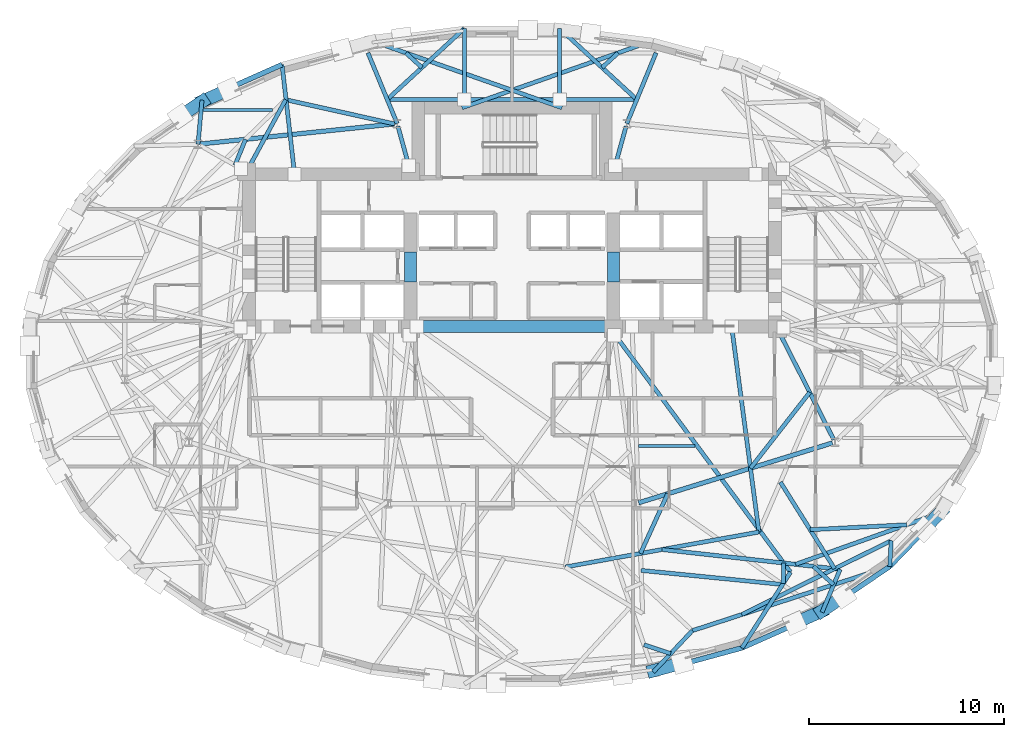
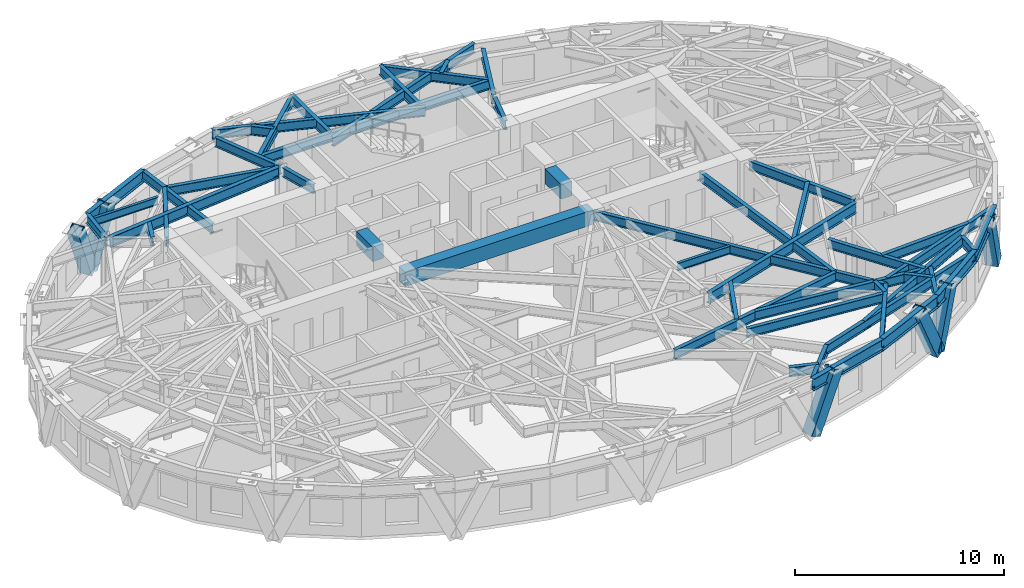
# One storey, part 3 of 15: 50 beams, 6 members.
"""IFC4 building model written with IfcOpenShell, lengths in metres."""

from ifc_helpers import new_model, si_unit, direction, frame, origin, origin_2d, place, context, subcontext, project, spatial, rectangle, hollow_rectangle, i_section, extrude, material, material_profile, profile_set, type_object, element, save


model = new_model("IFC4")

# Units and contexts
model_context = context("Model", 3, precision=1e-05, world=origin(), true_north=direction((0.0, 1.0)))
body_context = subcontext(model_context, "Body", "Model", "MODEL_VIEW")
ifc_project = project(units=[si_unit("LENGTHUNIT", "METRE"), si_unit("AREAUNIT", "SQUARE_METRE"), si_unit("VOLUMEUNIT", "CUBIC_METRE"), si_unit("PLANEANGLEUNIT", "RADIAN"), si_unit("MASSUNIT", "GRAM", prefix="KILO")], contexts=[model_context])

# Site, building, storey
site_placement = place(None, origin())
site = spatial("IfcSite", under=ifc_project, at=site_placement, CompositionType="ELEMENT")
building_placement = place(site_placement, origin())
building = spatial("IfcBuilding", under=site, at=building_placement, Name="Keldmark Tower", CompositionType="ELEMENT")
storey_placement = place(building_placement, frame((0.0, 0.0, 166.199951171875)))
storey = spatial("IfcBuildingStorey", under=building, at=storey_placement, Name="L45", CompositionType="ELEMENT", Elevation=166.199951171875)

# Beams
ifc_material_1 = material(Name="Steel ASTM A992 Grade 50", Category="steel")
ifc_material_profile_1 = material_profile(ifc_material_1, i_section(OverallWidth=0.153076171875, OverallDepth=0.455078125, WebThickness=0.008056640625, FlangeThickness=0.01318359375, at=origin_2d()), Name="W18X40")
ifc_profile_set_1 = profile_set([ifc_material_profile_1], Name="Steel ASTM A992 Grade 50")
beam_type_1 = type_object("IfcBeamType", Name="Composite Floor Joist W18X40", PredefinedType="JOIST", material=ifc_profile_set_1)
beam_1_placement = place(storey_placement, frame((6.473388671875, -4.60009765625, 2.79248046875), z_axis=(1.0, 0.0, 0.0), x_axis=(0.0, 1.0, 0.0)))
element("IfcBeam", 1, at=beam_1_placement, inside=storey, type_object=beam_type_1, Name="L45 Composite Floor Joist J04", PredefinedType="JOIST", context=body_context, shape_type="SweptSolid", body=[
    extrude(i_section(OverallWidth=0.153076171875, OverallDepth=0.455078125, WebThickness=0.008056640625, FlangeThickness=0.01318359375, at=origin_2d()), origin(), (0.0, 0.0, 1.0), 2.89453125),
])
beam_2_placement = place(storey_placement, frame((-15.827880859375, 12.6201171875, 2.79248046875), z_axis=(1.0, 0.0, 0.0), x_axis=(0.0, 1.0, 0.0)))
element("IfcBeam", 2, at=beam_2_placement, inside=storey, type_object=beam_type_1, Name="L45 Composite Floor Joist J07", PredefinedType="JOIST", context=body_context, shape_type="SweptSolid", body=[
    extrude(i_section(OverallWidth=0.153076171875, OverallDepth=0.455078125, WebThickness=0.008056640625, FlangeThickness=0.01318359375, at=origin_2d()), origin(), (0.0, 0.0, 1.0), 3.567626953125),
])
ifc_material_2 = material(Name="Concrete C50/60", Category="concrete")
ifc_material_profile_2 = material_profile(ifc_material_2, rectangle(XDim=0.60009765625, YDim=0.85009765625, at=origin_2d()), Name="RCB600X850")
ifc_profile_set_2 = profile_set([ifc_material_profile_2], Name="Concrete C50/60")
beam_type_2 = type_object("IfcBeamType", Name="Core Coupling Beam RCB600X850", PredefinedType="USERDEFINED", material=ifc_profile_set_2)
for number, where, z_axis, x_axis, name in (
    (3, (-5.199951171875, 3.800048828125, 2.594970703125), (0.0, 1.0, 0.0), (-1.0, 0.0, 0.0), "L45 West Core Coupling Beam"),
    (4, (5.199951171875, 3.800048828125, 2.594970703125), (0.0, 1.0, 0.0), (-1.0, 0.0, 0.0), "L45 East Core Coupling Beam"),
):
    element("IfcBeam", number, at=place(storey_placement, frame(where, z_axis=z_axis, x_axis=x_axis)), inside=storey, type_object=beam_type_2, Name=name, ObjectType="COUPLING BEAM", PredefinedType="USERDEFINED", context=body_context, shape_type="SweptSolid", body=[
        extrude(rectangle(XDim=0.60009765625, YDim=0.85009765625, at=origin_2d()), origin(), (0.0, 0.0, 1.0), 1.550048828125),
    ])
beam_3_placement = place(storey_placement, frame((-5.199951171875, 1.52490234375, 2.594970703125), z_axis=(1.0, 0.0, 0.0), x_axis=(0.0, 1.0, 0.0)))
element("IfcBeam", 5, at=beam_3_placement, inside=storey, type_object=beam_type_2, Name="L45 Central South Core Coupling Beam", ObjectType="COUPLING BEAM", PredefinedType="USERDEFINED", context=body_context, shape_type="SweptSolid", body=[
    extrude(rectangle(XDim=0.60009765625, YDim=0.85009765625, at=origin_2d()), origin(), (0.0, 0.0, 1.0), 10.39990234375),
])

# Members
ifc_material_3 = material(Name="Steel ASTM A572 Grade 50", Category="steel")
ifc_material_profile_3 = material_profile(ifc_material_3, hollow_rectangle(XDim=0.64990234375, YDim=0.64990234375, WallThickness=0.0400390625, at=origin_2d()), Name="BOX650X650X40")
ifc_profile_set_3 = profile_set([ifc_material_profile_3], Name="Steel ASTM A572 Grade 50")
member_type = type_object("IfcMemberType", Name="Diagrid Zone 3 Brace BOX650X650X40", PredefinedType="BRACE", material=ifc_profile_set_3)
member_1_placement = place(storey_placement, frame((-15.851806640625, 13.063720703125, -0.260009765625), z_axis=(0.391032940671, 0.173660522045, 0.903844711437), x_axis=(-0.405881029714, 0.913925921351, 0.0)))
element("IfcMember", 6, at=member_1_placement, inside=storey, type_object=member_type, Name="L45 Perimeter Diagrid Brace 06A", PredefinedType="BRACE", context=body_context, shape_type="SweptSolid", body=[
    extrude(hollow_rectangle(XDim=0.64990234375, YDim=0.64990234375, WallThickness=0.0400390625, at=origin_2d()), origin(), (0.0, 0.0, 1.0), 3.496337890625),
])
member_2_placement = place(storey_placement, frame((-15.841796875, 13.0703125, -0.260009765625), z_axis=(-0.334770939318, -0.226878321265, 0.914578944394), x_axis=(0.561014251509, -0.827806142526, 0.0)))
element("IfcMember", 7, at=member_2_placement, inside=storey, type_object=member_type, Name="L45 Perimeter Diagrid Brace 06B", PredefinedType="BRACE", context=body_context, shape_type="SweptSolid", body=[
    extrude(hollow_rectangle(XDim=0.64990234375, YDim=0.64990234375, WallThickness=0.0400390625, at=origin_2d()), origin(), (0.0, 0.0, 1.0), 3.455322265625),
])
member_3_placement = place(storey_placement, frame((7.219482421875, -16.114501953125, -0.260009765625), z_axis=(0.429097689767, 0.11659887232, 0.895700773479), x_axis=(-0.262221871512, 0.965007611421, 0.0)))
element("IfcMember", 8, at=member_3_placement, inside=storey, type_object=member_type, Name="L45 Perimeter Diagrid Brace 13B", PredefinedType="BRACE", context=body_context, shape_type="SweptSolid", body=[
    extrude(hollow_rectangle(XDim=0.64990234375, YDim=0.64990234375, WallThickness=0.0400390625, at=origin_2d()), origin(), (0.0, 0.0, 1.0), 3.528076171875),
])
member_4_placement = place(storey_placement, frame((15.851806640625, -13.063720703125, -0.260009765625), z_axis=(-0.391032940671, -0.173660522045, 0.903844711437), x_axis=(0.405881029714, -0.913925921351, 0.0)))
element("IfcMember", 9, at=member_4_placement, inside=storey, type_object=member_type, Name="L45 Perimeter Diagrid Brace 14A", PredefinedType="BRACE", context=body_context, shape_type="SweptSolid", body=[
    extrude(hollow_rectangle(XDim=0.64990234375, YDim=0.64990234375, WallThickness=0.0400390625, at=origin_2d()), origin(), (0.0, 0.0, 1.0), 3.496337890625),
])
member_5_placement = place(storey_placement, frame((15.841796875, -13.0703125, -0.260009765625), z_axis=(0.334770939318, 0.226878321265, 0.914578944394), x_axis=(-0.561014251509, 0.827806142526, 0.0)))
element("IfcMember", 10, at=member_5_placement, inside=storey, type_object=member_type, Name="L45 Perimeter Diagrid Brace 14B", PredefinedType="BRACE", context=body_context, shape_type="SweptSolid", body=[
    extrude(hollow_rectangle(XDim=0.64990234375, YDim=0.64990234375, WallThickness=0.0400390625, at=origin_2d()), origin(), (0.0, 0.0, 1.0), 3.455322265625),
])
member_6_placement = place(storey_placement, frame((21.990478515625, -7.946533203125, -0.260009765625), z_axis=(-0.262461182908, -0.271546102567, 0.925946457225), x_axis=(0.719032546856, -0.694976400004, 0.0)))
element("IfcMember", 11, at=member_6_placement, inside=storey, type_object=member_type, Name="L45 Perimeter Diagrid Brace 15A", PredefinedType="BRACE", context=body_context, shape_type="SweptSolid", body=[
    extrude(hollow_rectangle(XDim=0.64990234375, YDim=0.64990234375, WallThickness=0.0400390625, at=origin_2d()), origin(), (0.0, 0.0, 1.0), 3.412841796875),
])

# Beams
ifc_material_4 = material(Name="Steel ASTM A992 Grade 50", Category="steel")
ifc_material_profile_4 = material_profile(ifc_material_4, i_section(OverallWidth=0.22900390625, OverallDepth=0.612060546875, WebThickness=0.011962890625, FlangeThickness=0.01953125, at=origin_2d()), Name="W24X84")
ifc_profile_set_4 = profile_set([ifc_material_profile_4], Name="Steel ASTM A992 Grade 50")
beam_type_3 = type_object("IfcBeamType", Name="Primary Floor Girder W24X84", PredefinedType="BEAM", material=ifc_profile_set_4)
beam_4_placement = place(storey_placement, frame((-6.01953125, 11.90087890625, 2.714111328125), z_axis=(-0.994702930931, -0.102791435423, 0.0), x_axis=(0.102791435423, -0.994702930931, 0.0)))
element("IfcBeam", 12, at=beam_4_placement, inside=storey, type_object=beam_type_3, Name="L45 Floor Ring Girder FG-R04", PredefinedType="BEAM", context=body_context, shape_type="SweptSolid", body=[
    extrude(i_section(OverallWidth=0.22900390625, OverallDepth=0.612060546875, WebThickness=0.011962890625, FlangeThickness=0.01953125, at=origin_2d()), origin(), (0.0, 0.0, 1.0), 9.975341796875),
])
beam_5_placement = place(storey_placement, frame((6.485107421875, -7.5048828125, 2.714111328125), z_axis=(0.955494563145, 0.295008711398, 0.0), x_axis=(-0.295008711398, 0.955494563145, 0.0)))
element("IfcBeam", 13, at=beam_5_placement, inside=storey, type_object=beam_type_3, Name="L45 Floor Ring Girder FG-R10", PredefinedType="BEAM", context=body_context, shape_type="SweptSolid", body=[
    extrude(i_section(OverallWidth=0.22900390625, OverallDepth=0.612060546875, WebThickness=0.011962890625, FlangeThickness=0.01953125, at=origin_2d()), origin(), (0.0, 0.0, 1.0), 10.39013671875),
])
ifc_material_5 = material(Name="Steel ASTM A992 Grade 50", Category="steel")
ifc_material_profile_5 = material_profile(ifc_material_5, i_section(OverallWidth=0.2099609375, OverallDepth=0.537109375, WebThickness=0.010986328125, FlangeThickness=0.017333984375, at=origin_2d()), Name="W21X68")
ifc_profile_set_5 = profile_set([ifc_material_profile_5], Name="Steel ASTM A992 Grade 50")
beam_type_4 = type_object("IfcBeamType", Name="Radial Tie Girder W21X68", PredefinedType="BEAM", material=ifc_profile_set_5)
for number, where, z_axis, x_axis, name in (
    (14, (5.843017578125, 11.7802734375, 2.75146484375), (-0.265992411, -0.963975122755, 0.0), (0.963975122755, -0.265992411, 0.0), "L45 Floor Radial Girder FG-C03"),
    (15, (-5.843017578125, 11.7802734375, 2.75146484375), (0.265992411, -0.963975122755, 0.0), (0.963975122755, 0.265992411, 0.0), "L45 Floor Radial Girder FG-C04"),
):
    element("IfcBeam", number, at=place(storey_placement, frame(where, z_axis=z_axis, x_axis=x_axis)), inside=storey, type_object=beam_type_4, Name=name, PredefinedType="BEAM", context=body_context, shape_type="SweptSolid", body=[
        extrude(i_section(OverallWidth=0.2099609375, OverallDepth=0.537109375, WebThickness=0.010986328125, FlangeThickness=0.017333984375, at=origin_2d()), origin(), (0.0, 0.0, 1.0), 2.09716796875),
    ])
beam_6_placement = place(storey_placement, frame((16.4833984375, -4.273681640625, 2.75146484375), z_axis=(-0.453036691775, 0.891491870914, 0.0), x_axis=(-0.891491870914, -0.453036691775, 0.0)))
element("IfcBeam", 16, at=beam_6_placement, inside=storey, type_object=beam_type_4, Name="L45 Floor Radial Girder FG-C11", PredefinedType="BEAM", context=body_context, shape_type="SweptSolid", body=[
    extrude(i_section(OverallWidth=0.2099609375, OverallDepth=0.537109375, WebThickness=0.010986328125, FlangeThickness=0.017333984375, at=origin_2d()), origin(), (0.0, 0.0, 1.0), 6.044189453125),
])
beam_7_placement = place(storey_placement, frame((15.251220703125, -1.848876953125, 2.75146484375), z_axis=(-0.61556718814, -0.788084409746, 0.0), x_axis=(0.788084409746, -0.61556718814, 0.0)))
element("IfcBeam", 17, at=beam_7_placement, inside=storey, type_object=beam_type_4, Name="L45 Framing Pin Header PH-008", PredefinedType="BEAM", context=body_context, shape_type="SweptSolid", body=[
    extrude(i_section(OverallWidth=0.2099609375, OverallDepth=0.537109375, WebThickness=0.010986328125, FlangeThickness=0.017333984375, at=origin_2d()), origin(), (0.0, 0.0, 1.0), 4.931884765625),
])
beam_8_placement = place(storey_placement, frame((11.25, 1.52490234375, 2.75146484375), z_axis=(0.131788779406, -0.991277820605, 0.0), x_axis=(0.991277820605, 0.131788779406, 0.0)))
element("IfcBeam", 18, at=beam_8_placement, inside=storey, type_object=beam_type_4, Name="L45 Sub-Ring Step Girder STP2-M11", PredefinedType="BEAM", context=body_context, shape_type="SweptSolid", body=[
    extrude(i_section(OverallWidth=0.2099609375, OverallDepth=0.537109375, WebThickness=0.010986328125, FlangeThickness=0.017333984375, at=origin_2d()), origin(), (0.0, 0.0, 1.0), 10.620361328125),
])
beam_9_placement = place(storey_placement, frame((2.723876953125, -10.796142578125, 2.75146484375), z_axis=(0.984069515752, 0.1777841055, 0.0), x_axis=(-0.1777841055, 0.984069515752, 0.0)))
element("IfcBeam", 19, at=beam_9_placement, inside=storey, type_object=beam_type_4, Name="L45 Perimeter Collector Ring Beam CRG2-M10", PredefinedType="BEAM", context=body_context, shape_type="SweptSolid", body=[
    extrude(i_section(OverallWidth=0.2099609375, OverallDepth=0.537109375, WebThickness=0.010986328125, FlangeThickness=0.017333984375, at=origin_2d()), origin(), (0.0, 0.0, 1.0), 10.08642578125),
])
beam_10_placement = place(storey_placement, frame((-14.1904296875, 9.78564453125, 2.75146484375), z_axis=(0.377464687755, 0.9260239789, 0.0), x_axis=(-0.9260239789, 0.377464687755, 0.0)))
element("IfcBeam", 20, at=beam_10_placement, inside=storey, type_object=beam_type_4, Name="L45 Framing Pin Header PH-013", PredefinedType="BEAM", context=body_context, shape_type="SweptSolid", body=[
    extrude(i_section(OverallWidth=0.2099609375, OverallDepth=0.537109375, WebThickness=0.010986328125, FlangeThickness=0.017333984375, at=origin_2d()), origin(), (0.0, 0.0, 1.0), 1.4326171875),
])
beam_11_placement = place(storey_placement, frame((-13.60009765625, 9.449951171875, 2.75146484375), z_axis=(0.477654717375, 0.878547648662, 0.0), x_axis=(-0.878547648662, 0.477654717375, 0.0)))
element("IfcBeam", 21, at=beam_11_placement, inside=storey, type_object=beam_type_4, Name="L45 Local Collector Chord RT-11C", PredefinedType="BEAM", context=body_context, shape_type="SweptSolid", body=[
    extrude(i_section(OverallWidth=0.2099609375, OverallDepth=0.537109375, WebThickness=0.010986328125, FlangeThickness=0.017333984375, at=origin_2d()), origin(), (0.0, 0.0, 1.0), 4.201416015625),
])
beam_12_placement = place(storey_placement, frame((-16.08154296875, 10.861083984375, 2.75146484375), z_axis=(0.089048441045, 0.996027296387, 0.0), x_axis=(-0.996027296387, 0.089048441045, 0.0)))
element("IfcBeam", 22, at=beam_12_placement, inside=storey, type_object=beam_type_4, Name="L45 Perimeter Column Bracket RT-12", PredefinedType="BEAM", context=body_context, shape_type="SweptSolid", body=[
    extrude(i_section(OverallWidth=0.2099609375, OverallDepth=0.537109375, WebThickness=0.010986328125, FlangeThickness=0.017333984375, at=origin_2d()), origin(), (0.0, 0.0, 1.0), 2.2646484375),
])
beam_13_placement = place(storey_placement, frame((7.97412109375, -7.045166015625, 2.75146484375), z_axis=(-0.414953421551, -0.909842655597, 0.0), x_axis=(0.909842655597, -0.414953421551, 0.0)))
element("IfcBeam", 23, at=beam_13_placement, inside=storey, type_object=beam_type_4, Name="L45 Framing Pin Header PH-026", PredefinedType="BEAM", context=body_context, shape_type="SweptSolid", body=[
    extrude(i_section(OverallWidth=0.2099609375, OverallDepth=0.537109375, WebThickness=0.010986328125, FlangeThickness=0.017333984375, at=origin_2d()), origin(), (0.0, 0.0, 1.0), 3.356689453125),
])
beam_14_placement = place(storey_placement, frame((7.23681640625, -16.171875, 2.75146484375), z_axis=(0.686997697273, 0.726659592892, 0.0), x_axis=(-0.726659592892, 0.686997697273, 0.0)))
element("IfcBeam", 24, at=beam_14_placement, inside=storey, type_object=beam_type_4, Name="L45 Local Collector Chord RT-27C", PredefinedType="BEAM", context=body_context, shape_type="SweptSolid", body=[
    extrude(i_section(OverallWidth=0.2099609375, OverallDepth=0.537109375, WebThickness=0.010986328125, FlangeThickness=0.017333984375, at=origin_2d()), origin(), (0.0, 0.0, 1.0), 2.91162109375),
])
beam_15_placement = place(storey_placement, frame((6.758544921875, -14.777099609375, 2.75146484375), z_axis=(0.949660375702, -0.313281296636, 0.0), x_axis=(0.313281296636, 0.949660375702, 0.0)))
element("IfcBeam", 25, at=beam_15_placement, inside=storey, type_object=beam_type_4, Name="L45 Framing Pin Header PH-029", PredefinedType="BEAM", context=body_context, shape_type="SweptSolid", body=[
    extrude(i_section(OverallWidth=0.2099609375, OverallDepth=0.537109375, WebThickness=0.010986328125, FlangeThickness=0.017333984375, at=origin_2d()), origin(), (0.0, 0.0, 1.0), 1.4423828125),
])
beam_16_placement = place(storey_placement, frame((5.199951171875, 1.199951171875, 2.75146484375), z_axis=(0.59453422217, -0.804070307043, 0.0), x_axis=(0.804070307043, 0.59453422217, 0.0)))
element("IfcBeam", 26, at=beam_16_placement, inside=storey, type_object=beam_type_4, Name="L45 Intermediate Radial Step Girder RT-28M", PredefinedType="BEAM", context=body_context, shape_type="SweptSolid", body=[
    extrude(i_section(OverallWidth=0.2099609375, OverallDepth=0.537109375, WebThickness=0.010986328125, FlangeThickness=0.017333984375, at=origin_2d()), origin(), (0.0, 0.0, 1.0), 15.2470703125),
])
beam_17_placement = place(storey_placement, frame((11.77880859375, -14.93798828125, 2.75146484375), z_axis=(0.539677672461, 0.841871730044, 0.0), x_axis=(-0.841871730044, 0.539677672461, 0.0)))
element("IfcBeam", 27, at=beam_17_placement, inside=storey, type_object=beam_type_4, Name="L45 Local Collector Chord RT-28C", PredefinedType="BEAM", context=body_context, shape_type="SweptSolid", body=[
    extrude(i_section(OverallWidth=0.2099609375, OverallDepth=0.537109375, WebThickness=0.010986328125, FlangeThickness=0.017333984375, at=origin_2d()), origin(), (0.0, 0.0, 1.0), 4.606689453125),
])
beam_18_placement = place(storey_placement, frame((6.613525390625, -10.96923828125, 2.75146484375), z_axis=(0.995067350414, -0.099201653916, 0.0), x_axis=(0.099201653916, 0.995067350414, 0.0)))
element("IfcBeam", 28, at=beam_18_placement, inside=storey, type_object=beam_type_4, Name="L45 Framing Pin Header PH-030", PredefinedType="BEAM", context=body_context, shape_type="SweptSolid", body=[
    extrude(i_section(OverallWidth=0.2099609375, OverallDepth=0.537109375, WebThickness=0.010986328125, FlangeThickness=0.017333984375, at=origin_2d()), origin(), (0.0, 0.0, 1.0), 7.2822265625),
])
beam_19_placement = place(storey_placement, frame((13.891845703125, -11.6416015625, 2.75146484375), z_axis=(0.02533480898, 0.999679022214, 0.0), x_axis=(-0.999679022214, 0.02533480898, 0.0)))
element("IfcBeam", 29, at=beam_19_placement, inside=storey, type_object=beam_type_4, Name="L45 Framing Pin Header PH-031", PredefinedType="BEAM", context=body_context, shape_type="SweptSolid", body=[
    extrude(i_section(OverallWidth=0.2099609375, OverallDepth=0.537109375, WebThickness=0.010986328125, FlangeThickness=0.017333984375, at=origin_2d()), origin(), (0.0, 0.0, 1.0), 1.05029296875),
])
beam_20_placement = place(storey_placement, frame((7.686767578125, -9.8994140625, 2.75146484375), z_axis=(0.993889248992, -0.110381885916, 0.0), x_axis=(0.110381885916, 0.993889248992, 0.0)))
element("IfcBeam", 30, at=beam_20_placement, inside=storey, type_object=beam_type_4, Name="L45 Intermediate Radial Step Girder RT-29M", PredefinedType="BEAM", context=body_context, shape_type="SweptSolid", body=[
    extrude(i_section(OverallWidth=0.2099609375, OverallDepth=0.537109375, WebThickness=0.010986328125, FlangeThickness=0.017333984375, at=origin_2d()), origin(), (0.0, 0.0, 1.0), 9.1767578125),
])
beam_21_placement = place(storey_placement, frame((15.8798828125, -13.11669921875, 2.75146484375), z_axis=(0.387824231892, 0.921733348185, 0.0), x_axis=(-0.921733348185, 0.387824231892, 0.0)))
element("IfcBeam", 31, at=beam_21_placement, inside=storey, type_object=beam_type_4, Name="L45 Local Collector Chord RT-29C", PredefinedType="BEAM", context=body_context, shape_type="SweptSolid", body=[
    extrude(i_section(OverallWidth=0.2099609375, OverallDepth=0.537109375, WebThickness=0.010986328125, FlangeThickness=0.017333984375, at=origin_2d()), origin(), (0.0, 0.0, 1.0), 2.3916015625),
])
beam_22_placement = place(storey_placement, frame((15.439208984375, -10.760498046875, 2.75146484375), z_axis=(0.740981524203, -0.671525413361, 0.0), x_axis=(0.671525413361, 0.740981524203, 0.0)))
element("IfcBeam", 32, at=beam_22_placement, inside=storey, type_object=beam_type_4, Name="L45 Framing Pin Header PH-032", PredefinedType="BEAM", context=body_context, shape_type="SweptSolid", body=[
    extrude(i_section(OverallWidth=0.2099609375, OverallDepth=0.537109375, WebThickness=0.010986328125, FlangeThickness=0.017333984375, at=origin_2d()), origin(), (0.0, 0.0, 1.0), 1.39892578125),
])
beam_23_placement = place(storey_placement, frame((9.237060546875, -14.05615234375, 2.75146484375), z_axis=(0.950900030318, 0.309498194407, 0.0), x_axis=(-0.309498194407, 0.950900030318, 0.0)))
element("IfcBeam", 33, at=beam_23_placement, inside=storey, type_object=beam_type_4, Name="L45 Perimeter Radial Tie Girder RT-29", PredefinedType="BEAM", context=body_context, shape_type="SweptSolid", body=[
    extrude(i_section(OverallWidth=0.2099609375, OverallDepth=0.537109375, WebThickness=0.010986328125, FlangeThickness=0.017333984375, at=origin_2d()), origin(), (0.0, 0.0, 1.0), 10.635009765625),
])
beam_24_placement = place(storey_placement, frame((13.748779296875, -6.447998046875, 2.75146484375), z_axis=(0.530665942511, -0.847581062471, 0.0), x_axis=(0.847581062471, 0.530665942511, 0.0)))
element("IfcBeam", 34, at=beam_24_placement, inside=storey, type_object=beam_type_4, Name="L45 Framing Pin Header PH-033", PredefinedType="BEAM", context=body_context, shape_type="SweptSolid", body=[
    extrude(i_section(OverallWidth=0.2099609375, OverallDepth=0.537109375, WebThickness=0.010986328125, FlangeThickness=0.017333984375, at=origin_2d()), origin(), (0.0, 0.0, 1.0), 5.22998046875),
])
beam_25_placement = place(storey_placement, frame((11.765380859375, -13.233154296875, 2.75146484375), z_axis=(0.896464468834, 0.443115623871, 0.0), x_axis=(-0.443115623871, 0.896464468834, 0.0)))
element("IfcBeam", 35, at=beam_25_placement, inside=storey, type_object=beam_type_4, Name="L45 Intermediate Radial Step Girder RT-30M", PredefinedType="BEAM", context=body_context, shape_type="SweptSolid", body=[
    extrude(i_section(OverallWidth=0.2099609375, OverallDepth=0.537109375, WebThickness=0.010986328125, FlangeThickness=0.017333984375, at=origin_2d()), origin(), (0.0, 0.0, 1.0), 8.541015625),
])
beam_26_placement = place(storey_placement, frame((19.349853515625, -10.7646484375, 2.75146484375), z_axis=(0.054823748843, 0.998496047345, 0.0), x_axis=(-0.998496047345, 0.054823748843, 0.0)))
element("IfcBeam", 36, at=beam_26_placement, inside=storey, type_object=beam_type_4, Name="L45 Local Collector Chord RT-30C", PredefinedType="BEAM", context=body_context, shape_type="SweptSolid", body=[
    extrude(i_section(OverallWidth=0.2099609375, OverallDepth=0.537109375, WebThickness=0.010986328125, FlangeThickness=0.017333984375, at=origin_2d()), origin(), (0.0, 0.0, 1.0), 1.318115234375),
])
for number, where, z_axis, x_axis, name in (
    (37, (-5.880126953125, 11.915283203125, 2.75146484375), (-0.381836487795, 0.924229893797, 0.0), (-0.924229893797, -0.381836487795, 0.0), "L45 North Column Cantilever Girder West FG-TCN-W"),
    (38, (5.880126953125, 11.915283203125, 2.75146484375), (0.381836487795, 0.924229893797, 0.0), (-0.924229893797, 0.381836487795, 0.0), "L45 North Column Cantilever Girder East FG-TCN-E"),
):
    element("IfcBeam", number, at=place(storey_placement, frame(where, z_axis=z_axis, x_axis=x_axis)), inside=storey, type_object=beam_type_4, Name=name, PredefinedType="BEAM", context=body_context, shape_type="SweptSolid", body=[
        extrude(i_section(OverallWidth=0.2099609375, OverallDepth=0.537109375, WebThickness=0.010986328125, FlangeThickness=0.017333984375, at=origin_2d()), origin(), (0.0, 0.0, 1.0), 3.920166015625),
    ])
beam_27_placement = place(storey_placement, frame((-6.390380859375, 13.14990234375, 2.75146484375), z_axis=(1.0, 0.0, 0.0), x_axis=(0.0, 1.0, 0.0)))
element("IfcBeam", 39, at=beam_27_placement, inside=storey, type_object=beam_type_4, Name="L45 North Inner Header Girder FG-TCN-H0", PredefinedType="BEAM", context=body_context, shape_type="SweptSolid", body=[
    extrude(i_section(OverallWidth=0.2099609375, OverallDepth=0.537109375, WebThickness=0.010986328125, FlangeThickness=0.017333984375, at=origin_2d()), origin(), (0.0, 0.0, 1.0), 12.78076171875),
])
for number, where, z_axis, x_axis, name in (
    (40, (2.439208984375, 13.14990234375, 2.75146484375), (0.0, 1.0, 0.0), (-1.0, 0.0, 0.0), "L45 North Continuous Radial Girder RT-08N"),
    (41, (-2.439208984375, 13.14990234375, 2.75146484375), (0.0, 1.0, 0.0), (-1.0, 0.0, 0.0), "L45 North Continuous Radial Girder RT-09N"),
):
    element("IfcBeam", number, at=place(storey_placement, frame(where, z_axis=z_axis, x_axis=x_axis)), inside=storey, type_object=beam_type_4, Name=name, PredefinedType="BEAM", context=body_context, shape_type="SweptSolid", body=[
        extrude(i_section(OverallWidth=0.2099609375, OverallDepth=0.537109375, WebThickness=0.010986328125, FlangeThickness=0.017333984375, at=origin_2d()), origin(), (0.0, 0.0, 1.0), 3.63818359375),
    ])
beam_28_placement = place(storey_placement, frame((6.390380859375, 13.14990234375, 2.75146484375), z_axis=(-0.735642853737, 0.677369612357, 0.0), x_axis=(-0.677369612357, -0.735642853737, 0.0)))
element("IfcBeam", 42, at=beam_28_placement, inside=storey, type_object=beam_type_4, Name="L45 Straddling Support Chord RT-07RB", PredefinedType="BEAM", context=body_context, shape_type="SweptSolid", body=[
    extrude(i_section(OverallWidth=0.2099609375, OverallDepth=0.537109375, WebThickness=0.010986328125, FlangeThickness=0.017333984375, at=origin_2d()), origin(), (0.0, 0.0, 1.0), 5.37109375),
])
beam_29_placement = place(storey_placement, frame((4.6123046875, 14.787109375, 2.75146484375), z_axis=(0.738779417209, 0.673947307071, 0.0), x_axis=(-0.673947307071, 0.738779417209, 0.0)))
element("IfcBeam", 43, at=beam_29_placement, inside=storey, type_object=beam_type_4, Name="L45 Framing Pin Header PH-037", PredefinedType="BEAM", context=body_context, shape_type="SweptSolid", body=[
    extrude(i_section(OverallWidth=0.2099609375, OverallDepth=0.537109375, WebThickness=0.010986328125, FlangeThickness=0.017333984375, at=origin_2d()), origin(), (0.0, 0.0, 1.0), 1.11474609375),
])
beam_30_placement = place(storey_placement, frame((-2.5625, 12.72509765625, 2.75146484375), z_axis=(0.943346452772, 0.331809388117, 0.0), x_axis=(-0.331809388117, 0.943346452772, 0.0)))
element("IfcBeam", 44, at=beam_30_placement, inside=storey, type_object=beam_type_4, Name="L45 Perimeter Radial Tie Girder RT-07R", PredefinedType="BEAM", context=body_context, shape_type="SweptSolid", body=[
    extrude(i_section(OverallWidth=0.2099609375, OverallDepth=0.537109375, WebThickness=0.010986328125, FlangeThickness=0.017333984375, at=origin_2d()), origin(), (0.0, 0.0, 1.0), 10.387939453125),
])
beam_31_placement = place(storey_placement, frame((-2.439208984375, 16.7880859375, 2.75146484375), z_axis=(-0.735642853737, -0.677369612357, 0.0), x_axis=(0.677369612357, -0.735642853737, 0.0)))
element("IfcBeam", 45, at=beam_31_placement, inside=storey, type_object=beam_type_4, Name="L45 Straddling Support Chord RT-10RB", PredefinedType="BEAM", context=body_context, shape_type="SweptSolid", body=[
    extrude(i_section(OverallWidth=0.2099609375, OverallDepth=0.537109375, WebThickness=0.010986328125, FlangeThickness=0.017333984375, at=origin_2d()), origin(), (0.0, 0.0, 1.0), 5.37109375),
])
beam_32_placement = place(storey_placement, frame((-4.6123046875, 14.787109375, 2.75146484375), z_axis=(-0.738779417209, 0.673947307071, 0.0), x_axis=(-0.673947307071, -0.738779417209, 0.0)))
element("IfcBeam", 46, at=beam_32_placement, inside=storey, type_object=beam_type_4, Name="L45 Framing Pin Header PH-038", PredefinedType="BEAM", context=body_context, shape_type="SweptSolid", body=[
    extrude(i_section(OverallWidth=0.2099609375, OverallDepth=0.537109375, WebThickness=0.010986328125, FlangeThickness=0.017333984375, at=origin_2d()), origin(), (0.0, 0.0, 1.0), 1.11474609375),
])
beam_33_placement = place(storey_placement, frame((2.5625, 12.72509765625, 2.75146484375), z_axis=(-0.943346452772, 0.331809388117, 0.0), x_axis=(-0.331809388117, -0.943346452772, 0.0)))
element("IfcBeam", 47, at=beam_33_placement, inside=storey, type_object=beam_type_4, Name="L45 Perimeter Radial Tie Girder RT-10R", PredefinedType="BEAM", context=body_context, shape_type="SweptSolid", body=[
    extrude(i_section(OverallWidth=0.2099609375, OverallDepth=0.537109375, WebThickness=0.010986328125, FlangeThickness=0.017333984375, at=origin_2d()), origin(), (0.0, 0.0, 1.0), 10.387939453125),
])
beam_34_placement = place(storey_placement, frame((-6.01953125, 11.90087890625, 2.75146484375), z_axis=(-0.976126660537, 0.217202077772, 0.0), x_axis=(-0.217202077772, -0.976126660537, 0.0)))
element("IfcBeam", 48, at=beam_34_placement, inside=storey, type_object=beam_type_4, Name="L45 Straddling Support Chord RT-11RB", PredefinedType="BEAM", context=body_context, shape_type="SweptSolid", body=[
    extrude(i_section(OverallWidth=0.2099609375, OverallDepth=0.537109375, WebThickness=0.010986328125, FlangeThickness=0.017333984375, at=origin_2d()), origin(), (0.0, 0.0, 1.0), 5.7099609375),
])
beam_35_placement = place(storey_placement, frame((-11.1357421875, 9.324951171875, 2.75146484375), z_axis=(-0.113822019319, 0.993501156476, 0.0), x_axis=(-0.993501156476, -0.113822019319, 0.0)))
element("IfcBeam", 49, at=beam_35_placement, inside=storey, type_object=beam_type_4, Name="L45 Perimeter Radial Tie Girder RT-11R", PredefinedType="BEAM", context=body_context, shape_type="SweptSolid", body=[
    extrude(i_section(OverallWidth=0.2099609375, OverallDepth=0.537109375, WebThickness=0.010986328125, FlangeThickness=0.017333984375, at=origin_2d()), origin(), (0.0, 0.0, 1.0), 5.649658203125),
])
beam_36_placement = place(storey_placement, frame((15.275146484375, -8.885986328125, 2.75146484375), z_axis=(0.998681382448, 0.051337085533, 0.0), x_axis=(-0.051337085533, 0.998681382448, 0.0)))
element("IfcBeam", 50, at=beam_36_placement, inside=storey, type_object=beam_type_4, Name="L45 Framing Pin Header PH-042", PredefinedType="BEAM", context=body_context, shape_type="SweptSolid", body=[
    extrude(i_section(OverallWidth=0.2099609375, OverallDepth=0.537109375, WebThickness=0.010986328125, FlangeThickness=0.017333984375, at=origin_2d()), origin(), (0.0, 0.0, 1.0), 4.95068359375),
])
beam_37_placement = place(storey_placement, frame((14.527099609375, -10.6591796875, 2.75146484375), z_axis=(0.942039482197, 0.335502032753, 0.0), x_axis=(-0.335502032753, 0.942039482197, 0.0)))
element("IfcBeam", 51, at=beam_37_placement, inside=storey, type_object=beam_type_4, Name="L45 Perimeter Radial Tie Girder RT-30R", PredefinedType="BEAM", context=body_context, shape_type="SweptSolid", body=[
    extrude(i_section(OverallWidth=0.2099609375, OverallDepth=0.537109375, WebThickness=0.010986328125, FlangeThickness=0.017333984375, at=origin_2d()), origin(), (0.0, 0.0, 1.0), 7.971923828125),
])
ifc_material_6 = material(Name="Steel ASTM A992 Grade 50", Category="steel")
ifc_material_profile_6 = material_profile(ifc_material_6, i_section(OverallWidth=0.256103515625, OverallDepth=0.693115234375, WebThickness=0.014404296875, FlangeThickness=0.023681640625, at=origin_2d()), Name="W27X114")
ifc_profile_set_6 = profile_set([ifc_material_profile_6], Name="Steel ASTM A992 Grade 50")
beam_type_5 = type_object("IfcBeamType", Name="Spandrel Ring Beam W27X114", PredefinedType="SPANDREL", material=ifc_profile_set_6)
beam_38_placement = place(storey_placement, frame((-11.77880859375, 14.93798828125, 2.673583984375), z_axis=(-0.913928177397, -0.405875949719, 0.0), x_axis=(0.405875949719, -0.913928177397, 0.0)))
element("IfcBeam", 52, at=beam_38_placement, inside=storey, type_object=beam_type_5, Name="L45 Perimeter Spandrel Ring Beam SRB-11", PredefinedType="SPANDREL", context=body_context, shape_type="SweptSolid", body=[
    extrude(i_section(OverallWidth=0.256103515625, OverallDepth=0.693115234375, WebThickness=0.014404296875, FlangeThickness=0.023681640625, at=origin_2d()), origin(), (0.0, 0.0, 1.0), 4.4873046875),
])
beam_39_placement = place(storey_placement, frame((7.23681640625, -16.171875, 2.673583984375), z_axis=(0.965024302167, 0.26216043986, 0.0), x_axis=(-0.26216043986, 0.965024302167, 0.0)))
element("IfcBeam", 53, at=beam_39_placement, inside=storey, type_object=beam_type_5, Name="L45 Perimeter Spandrel Ring Beam SRB-26", PredefinedType="SPANDREL", context=body_context, shape_type="SweptSolid", body=[
    extrude(i_section(OverallWidth=0.256103515625, OverallDepth=0.693115234375, WebThickness=0.014404296875, FlangeThickness=0.023681640625, at=origin_2d()), origin(), (0.0, 0.0, 1.0), 4.70654296875),
])
beam_40_placement = place(storey_placement, frame((11.77880859375, -14.93798828125, 2.673583984375), z_axis=(0.913928177397, 0.405875949719, 0.0), x_axis=(-0.405875949719, 0.913928177397, 0.0)))
element("IfcBeam", 54, at=beam_40_placement, inside=storey, type_object=beam_type_5, Name="L45 Perimeter Spandrel Ring Beam SRB-27", PredefinedType="SPANDREL", context=body_context, shape_type="SweptSolid", body=[
    extrude(i_section(OverallWidth=0.256103515625, OverallDepth=0.693115234375, WebThickness=0.014404296875, FlangeThickness=0.023681640625, at=origin_2d()), origin(), (0.0, 0.0, 1.0), 4.4873046875),
])
beam_41_placement = place(storey_placement, frame((15.8798828125, -13.11669921875, 2.673583984375), z_axis=(0.827760762475, 0.561081206338, 0.0), x_axis=(-0.561081206338, 0.827760762475, 0.0)))
element("IfcBeam", 55, at=beam_41_placement, inside=storey, type_object=beam_type_5, Name="L45 Perimeter Spandrel Ring Beam SRB-28", PredefinedType="SPANDREL", context=body_context, shape_type="SweptSolid", body=[
    extrude(i_section(OverallWidth=0.256103515625, OverallDepth=0.693115234375, WebThickness=0.014404296875, FlangeThickness=0.023681640625, at=origin_2d()), origin(), (0.0, 0.0, 1.0), 4.19189453125),
])
beam_42_placement = place(storey_placement, frame((19.349853515625, -10.7646484375, 2.673583984375), z_axis=(0.694975307772, 0.719033602544, 0.0), x_axis=(-0.719033602544, 0.694975307772, 0.0)))
element("IfcBeam", 56, at=beam_42_placement, inside=storey, type_object=beam_type_5, Name="L45 Perimeter Spandrel Ring Beam SRB-29", PredefinedType="SPANDREL", context=body_context, shape_type="SweptSolid", body=[
    extrude(i_section(OverallWidth=0.256103515625, OverallDepth=0.693115234375, WebThickness=0.014404296875, FlangeThickness=0.023681640625, at=origin_2d()), origin(), (0.0, 0.0, 1.0), 3.866455078125),
])

save(model, "model.ifc")
